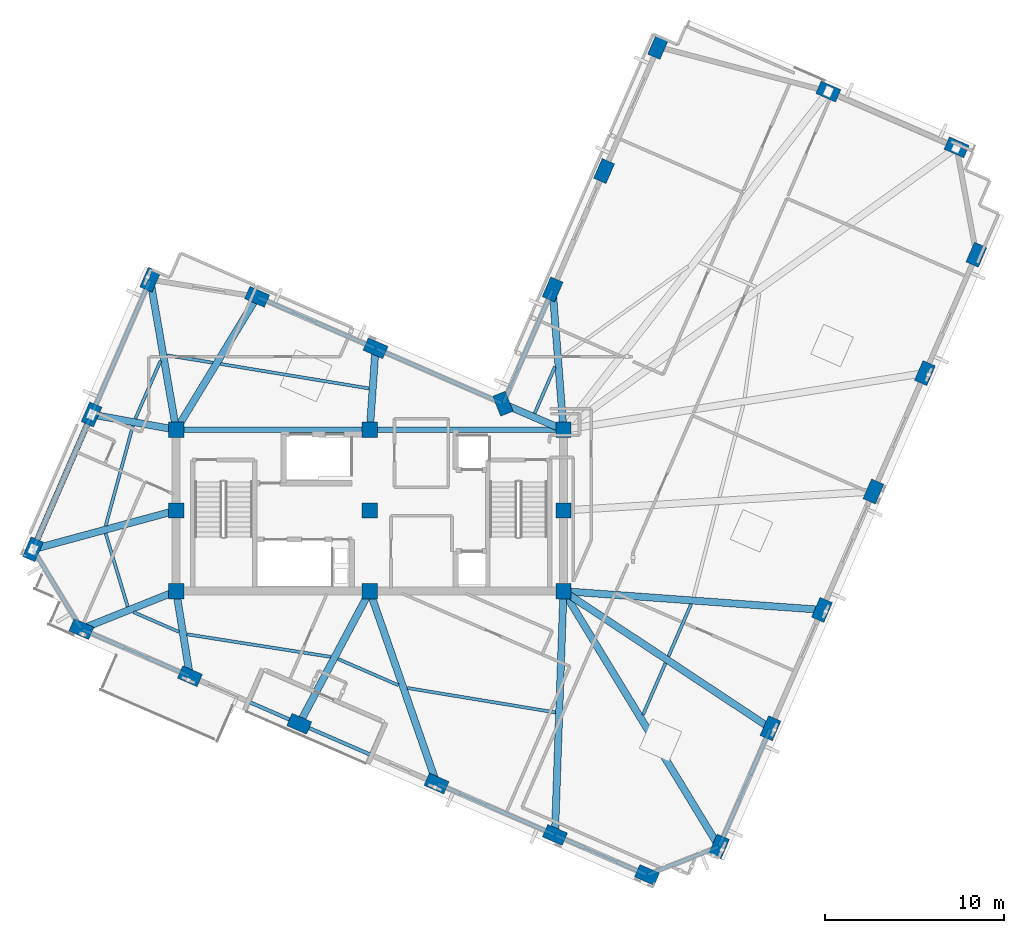
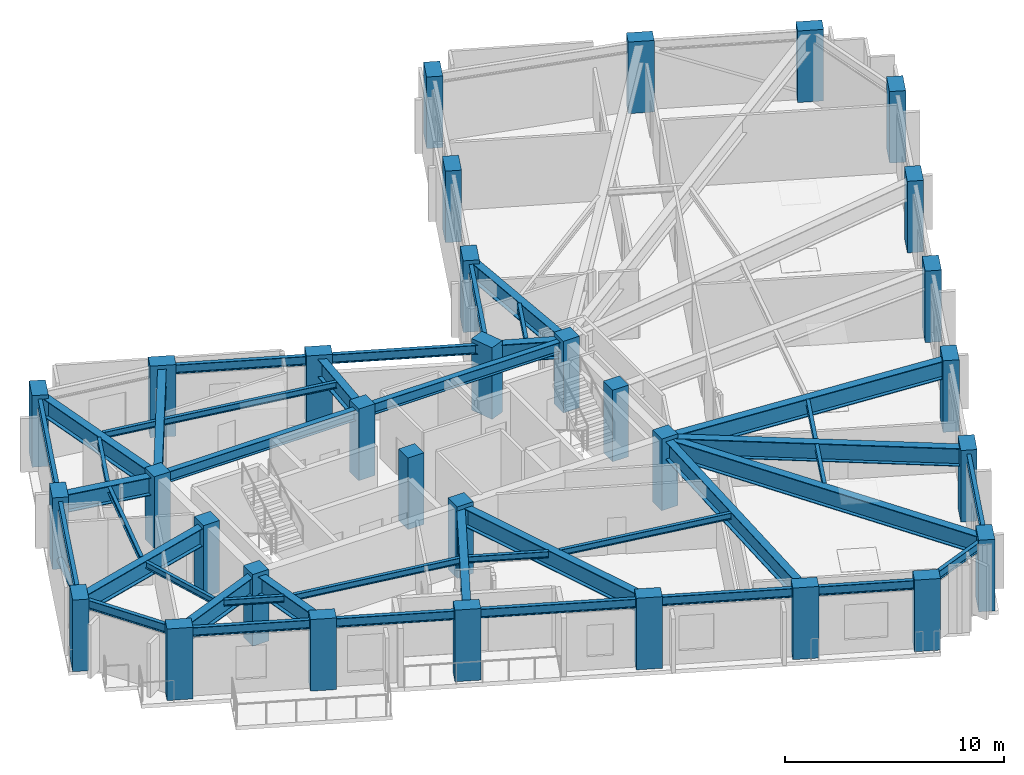
# One storey, part 1 of 12: 42 beams, 32 columns, 1 member.
"""IFC4 building model written with IfcOpenShell, lengths in metres."""

from ifc_helpers import new_model, si_unit, direction, frame, origin, origin_2d, place, context, subcontext, project, spatial, rectangle, hollow_circle, i_section, extrude, material, material_profile, profile_set, type_object, element, save


model = new_model("IFC4")

# Units and contexts
model_context = context("Model", 3, precision=1e-05, world=origin(), true_north=direction((0.0, 1.0)))
body_context = subcontext(model_context, "Body", "Model", "MODEL_VIEW")
ifc_project = project(units=[si_unit("LENGTHUNIT", "METRE"), si_unit("AREAUNIT", "SQUARE_METRE"), si_unit("VOLUMEUNIT", "CUBIC_METRE"), si_unit("PLANEANGLEUNIT", "RADIAN"), si_unit("MASSUNIT", "GRAM", prefix="KILO")], contexts=[model_context])

# Site, building, storey
site_placement = place(None, origin())
site = spatial("IfcSite", under=ifc_project, at=site_placement, CompositionType="ELEMENT")
building_placement = place(site_placement, origin())
building = spatial("IfcBuilding", under=site, at=building_placement, Name="Gaonmaruhae Medical Tower", CompositionType="ELEMENT")
storey_placement = place(building_placement, frame((0.0, 0.0, 308.60009765625)))
storey = spatial("IfcBuildingStorey", under=building, at=storey_placement, Name="L74", CompositionType="ELEMENT", Elevation=308.60009765625)

# Columns
ifc_material_1 = material(Name="Concrete C50/60", Category="concrete")
ifc_material_profile_1 = material_profile(ifc_material_1, rectangle(XDim=0.85009765625, YDim=0.85009765625, at=origin_2d()), Name="RC-850x850")
ifc_profile_set_1 = profile_set([ifc_material_profile_1], Name="Concrete C50/60")
column_type_1 = type_object("IfcColumnType", Name="CC-06 Upper Core Column (RC-850x850)", PredefinedType="COLUMN", material=ifc_profile_set_1)
for number, where, z_axis, x_axis, name in (
    (1, (14.0, 7.800048828125, 0.0), (0.0, 0.0, 1.0), (1.0, 0.0, 0.0), "L74 Plumb Core Column CC11"),
    (2, (14.0, 12.300048828125, 0.0), (0.0, 0.0, 1.0), (1.0, 0.0, 0.0), "L74 Plumb Core Column CC12"),
    (3, (14.0, 16.800048828125, 0.0), (0.0, 0.0, 1.0), (1.0, 0.0, 0.0), "L74 Plumb Core Column CC13"),
    (4, (24.800048828125, 7.800048828125, 0.0), (0.0, 0.0, 1.0), (1.0, 0.0, 0.0), "L74 Plumb Core Column CC21"),
    (5, (24.800048828125, 12.300048828125, 0.0), (0.0, 0.0, 1.0), (1.0, 0.0, 0.0), "L74 Plumb Core Column CC22"),
    (6, (24.800048828125, 16.800048828125, 0.0), (0.0, 0.0, 1.0), (1.0, 0.0, 0.0), "L74 Plumb Core Column CC23"),
    (7, (35.60009765625, 7.800048828125, 0.0), (0.0, 0.0, 1.0), (1.0, 0.0, 0.0), "L74 Plumb Core Column CC31"),
    (8, (35.60009765625, 12.300048828125, 0.0), (0.0, 0.0, 1.0), (1.0, 0.0, 0.0), "L74 Plumb Core Column CC32"),
    (9, (35.60009765625, 16.800048828125, 0.0), (0.0, 0.0, 1.0), (1.0, 0.0, 0.0), "L74 Plumb Core Column CC33"),
):
    element("IfcColumn", number, at=place(storey_placement, frame(where, z_axis=z_axis, x_axis=x_axis)), inside=storey, type_object=column_type_1, Name=name, PredefinedType="COLUMN", context=body_context, shape_type="SweptSolid", body=[
        extrude(rectangle(XDim=0.85009765625, YDim=0.85009765625, at=origin_2d()), origin(), (0.0, 0.0, 1.0), 4.0),
    ])
ifc_material_profile_2 = material_profile(ifc_material_1, rectangle(XDim=1.199951171875, YDim=0.75, at=origin_2d()), Name="RC-1200x750")
ifc_profile_set_2 = profile_set([ifc_material_profile_2], Name="Concrete C50/60")
column_type_2 = type_object("IfcColumnType", Name="TC-03 Upper Raking Tube Pier Column (RC-1200x750)", PredefinedType="COLUMN", material=ifc_profile_set_2)
for number, where, z_axis, x_axis, name in (
    (10, (44.275146484375, -6.448486328125, 0.001708984375), (0.0, 0.0, 1.0), (0.398749068925, 0.917060074385, 0.0), "L74 Perimeter Tube Column S01"),
    (11, (47.14599609375, 0.154296875, 0.001708984375), (0.0, 0.0, 1.0), (0.398749068925, 0.917060074385, 0.0), "L74 Perimeter Tube Column S02"),
    (12, (50.01708984375, 6.75732421875, 0.001708984375), (0.0, 0.0, 1.0), (0.398749068925, 0.917060074385, 0.0), "L74 Perimeter Tube Column S03"),
    (13, (52.88818359375, 13.360107421875, 0.001708984375), (0.0, 0.0, 1.0), (0.398749068925, 0.917060074385, 0.0), "L74 Perimeter Tube Column S04"),
    (14, (55.759033203125, 19.962890625, 0.001708984375), (0.0, 0.0, 1.0), (0.398749068925, 0.917060074385, 0.0), "L74 Perimeter Tube Column S05"),
    (15, (58.630126953125, 26.565673828125, 0.001708984375), (0.0, 0.0, 1.0), (0.398749068925, 0.917060074385, 0.0), "L74 Perimeter Tube Column S06"),
    (16, (57.525634765625, 32.552734375, 0.001708984375), (0.0, 0.0, 1.0), (-0.917060074385, 0.398749068925, 0.0), "L74 Perimeter Tube Column E01"),
    (17, (50.372802734375, 35.662841796875, 0.001708984375), (0.0, 0.0, 1.0), (-0.917060074385, 0.398749068925, 0.0), "L74 Perimeter Tube Column E02"),
    (18, (40.879150390625, 38.155029296875, 0.001708984375), (0.0, 0.0, 1.0), (0.398749068925, 0.917060074385, 0.0), "L74 Perimeter Tube Column E03"),
    (19, (37.868408203125, 31.2314453125, 0.001708984375), (0.0, 0.0, 1.0), (0.398749068925, 0.917060074385, 0.0), "L74 Perimeter Tube Column EN01"),
    (20, (34.99755859375, 24.62841796875, 0.001708984375), (0.0, 0.0, 1.0), (0.398749068925, 0.917060074385, 0.0), "L74 Perimeter Tube Column EN02"),
    (21, (32.226318359375, 18.2548828125, 0.001708984375), (0.0, 0.0, 1.0), (-0.366501226724, 0.930417567982, 0.0), "L74 Perimeter Tube Column KN01"),
    (22, (25.118896484375, 21.34521484375, 0.001708984375), (0.0, 0.0, 1.0), (-0.917060074385, 0.398749068925, 0.0), "L74 Perimeter Tube Column NE01"),
    (23, (18.51611328125, 24.21630859375, 0.001708984375), (0.0, 0.0, 1.0), (-0.917060074385, 0.398749068925, 0.0), "L74 Perimeter Tube Column NE02"),
    (24, (12.55322265625, 25.17333984375, 0.001708984375), (0.0, 0.0, 1.0), (0.398749068925, 0.917060074385, 0.0), "L74 Perimeter Tube Column N01"),
    (25, (9.283447265625, 17.653564453125, 0.001708984375), (0.0, 0.0, 1.0), (0.398749068925, 0.917060074385, 0.0), "L74 Perimeter Tube Column N02"),
    (26, (6.013671875, 10.133544921875, 0.001708984375), (0.0, 0.0, 1.0), (0.398749068925, 0.917060074385, 0.0), "L74 Perimeter Tube Column N03"),
    (27, (8.715087890625, 5.687744140625, 0.001708984375), (0.0, 0.0, 1.0), (-0.917060074385, 0.398749068925, 0.0), "L74 Perimeter Tube Column W01"),
    (28, (14.767578125, 3.055908203125, 0.001708984375), (0.0, 0.0, 1.0), (-0.917060074385, 0.398749068925, 0.0), "L74 Perimeter Tube Column W02"),
    (29, (20.865966796875, 0.404296875, 0.001708984375), (0.0, 0.0, 1.0), (-0.917060074385, 0.398749068925, 0.0), "L74 Perimeter Tube Column W03"),
    (30, (28.5234375, -2.92529296875, 0.001708984375), (0.0, 0.0, 1.0), (-0.917060074385, 0.398749068925, 0.0), "L74 Perimeter Tube Column W04"),
    (31, (35.12646484375, -5.79638671875, 0.001708984375), (0.0, 0.0, 1.0), (-0.917060074385, 0.398749068925, 0.0), "L74 Perimeter Tube Column W05"),
    (32, (40.261962890625, -8.029296875, 0.001708984375), (0.0, 0.0, 1.0), (-0.917060074385, 0.398749068925, 0.0), "L74 Perimeter Tube Column W06"),
):
    element("IfcColumn", number, at=place(storey_placement, frame(where, z_axis=z_axis, x_axis=x_axis)), inside=storey, type_object=column_type_2, Name=name, PredefinedType="COLUMN", context=body_context, shape_type="SweptSolid", body=[
        extrude(rectangle(XDim=1.199951171875, YDim=0.75, at=origin_2d()), origin(), (0.0, 0.0, 1.0), 3.996337890625),
    ])

# Beams
ifc_material_2 = material(Name="Steel SM420", Category="steel")
ifc_material_profile_3 = material_profile(ifc_material_2, i_section(OverallWidth=0.39990234375, OverallDepth=1.0, WebThickness=0.02197265625, FlangeThickness=0.035888671875, at=origin_2d()), Name="BH-1000x400x22x36")
ifc_profile_set_3 = profile_set([ifc_material_profile_3], Name="Steel SM420")
beam_type_1 = type_object("IfcBeamType", Name="BG-02 Refuge Floor Primary Girder (BH-1000x400x22x36)", PredefinedType="BEAM", material=ifc_profile_set_3)
beam_1_placement = place(storey_placement, frame((35.6259765625, 7.75732421875, 3.27978515625), z_axis=(0.520036625826, -0.854143961988, 0.0), x_axis=(0.854143961988, 0.520036625826, 0.0)))
element("IfcBeam", 33, at=beam_1_placement, inside=storey, type_object=beam_type_1, Name="L74 Radial Primary Girder S01", PredefinedType="BEAM", context=body_context, shape_type="SweptSolid", body=[
    extrude(i_section(OverallWidth=0.39990234375, OverallDepth=1.0, WebThickness=0.02197265625, FlangeThickness=0.035888671875, at=origin_2d()), origin(), (0.0, 0.0, 1.0), 16.58154296875),
])
beam_2_placement = place(storey_placement, frame((35.6416015625, 7.7724609375, 3.27978515625), z_axis=(0.833770161097, -0.552111690208, 0.0), x_axis=(0.552111690208, 0.833770161097, 0.0)))
element("IfcBeam", 34, at=beam_2_placement, inside=storey, type_object=beam_type_1, Name="L74 Radial Primary Girder S02", PredefinedType="BEAM", context=body_context, shape_type="SweptSolid", body=[
    extrude(i_section(OverallWidth=0.39990234375, OverallDepth=1.0, WebThickness=0.02197265625, FlangeThickness=0.035888671875, at=origin_2d()), origin(), (0.0, 0.0, 1.0), 13.748291015625),
])
beam_3_placement = place(storey_placement, frame((35.64990234375, 7.79638671875, 3.27978515625), z_axis=(0.997394062708, -0.072146265841, 0.0), x_axis=(0.072146265841, 0.997394062708, 0.0)))
element("IfcBeam", 35, at=beam_3_placement, inside=storey, type_object=beam_type_1, Name="L74 Radial Primary Girder S03", PredefinedType="BEAM", context=body_context, shape_type="SweptSolid", body=[
    extrude(i_section(OverallWidth=0.39990234375, OverallDepth=1.0, WebThickness=0.02197265625, FlangeThickness=0.035888671875, at=origin_2d()), origin(), (0.0, 0.0, 1.0), 14.354736328125),
])
beam_4_placement = place(storey_placement, frame((35.59619140625, 16.849853515625, 3.27978515625), z_axis=(-0.076722992115, 0.997052447207, 0.0), x_axis=(-0.997052447207, -0.076722992115, 0.0)))
element("IfcBeam", 36, at=beam_4_placement, inside=storey, type_object=beam_type_1, Name="L74 Radial Primary Girder EN02", PredefinedType="BEAM", context=body_context, shape_type="SweptSolid", body=[
    extrude(i_section(OverallWidth=0.39990234375, OverallDepth=1.0, WebThickness=0.02197265625, FlangeThickness=0.035888671875, at=origin_2d()), origin(), (0.0, 0.0, 1.0), 7.751708984375),
])
beam_5_placement = place(storey_placement, frame((35.55419921875, 16.81982421875, 3.27978515625), z_axis=(-0.918259431029, 0.395979314266, 0.0), x_axis=(-0.395979314266, -0.918259431029, 0.0)))
element("IfcBeam", 37, at=beam_5_placement, inside=storey, type_object=beam_type_1, Name="L74 Radial Primary Girder KN01", PredefinedType="BEAM", context=body_context, shape_type="SweptSolid", body=[
    extrude(i_section(OverallWidth=0.39990234375, OverallDepth=1.0, WebThickness=0.02197265625, FlangeThickness=0.035888671875, at=origin_2d()), origin(), (0.0, 0.0, 1.0), 3.57421875),
])
beam_6_placement = place(storey_placement, frame((24.803466796875, 16.849853515625, 3.27978515625), z_axis=(0.070012845455, 0.997546089898, 0.0), x_axis=(-0.997546089898, 0.070012845455, 0.0)))
element("IfcBeam", 38, at=beam_6_placement, inside=storey, type_object=beam_type_1, Name="L74 Radial Primary Girder NE01", PredefinedType="BEAM", context=body_context, shape_type="SweptSolid", body=[
    extrude(i_section(OverallWidth=0.39990234375, OverallDepth=1.0, WebThickness=0.02197265625, FlangeThickness=0.035888671875, at=origin_2d()), origin(), (0.0, 0.0, 1.0), 4.45654296875),
])
beam_7_placement = place(storey_placement, frame((14.026123046875, 16.8427734375, 3.27978515625), z_axis=(0.520106658264, 0.854101319534, 0.0), x_axis=(-0.854101319534, 0.520106658264, 0.0)))
element("IfcBeam", 39, at=beam_7_placement, inside=storey, type_object=beam_type_1, Name="L74 Radial Primary Girder NE02", PredefinedType="BEAM", context=body_context, shape_type="SweptSolid", body=[
    extrude(i_section(OverallWidth=0.39990234375, OverallDepth=1.0, WebThickness=0.02197265625, FlangeThickness=0.035888671875, at=origin_2d()), origin(), (0.0, 0.0, 1.0), 8.5830078125),
])
beam_8_placement = place(storey_placement, frame((13.991455078125, 16.849365234375, 3.27978515625), z_axis=(-0.170256429826, 0.985399791, 0.0), x_axis=(-0.985399791, -0.170256429826, 0.0)))
element("IfcBeam", 40, at=beam_8_placement, inside=storey, type_object=beam_type_1, Name="L74 Radial Primary Girder N01", PredefinedType="BEAM", context=body_context, shape_type="SweptSolid", body=[
    extrude(i_section(OverallWidth=0.39990234375, OverallDepth=1.0, WebThickness=0.02197265625, FlangeThickness=0.035888671875, at=origin_2d()), origin(), (0.0, 0.0, 1.0), 8.397216796875),
])
beam_9_placement = place(storey_placement, frame((13.95068359375, 16.808837890625, 3.27978515625), z_axis=(-0.984016905829, 0.17807506575, 0.0), x_axis=(-0.17807506575, -0.984016905829, 0.0)))
element("IfcBeam", 41, at=beam_9_placement, inside=storey, type_object=beam_type_1, Name="L74 Radial Primary Girder N02", PredefinedType="BEAM", context=body_context, shape_type="SweptSolid", body=[
    extrude(i_section(OverallWidth=0.39990234375, OverallDepth=1.0, WebThickness=0.02197265625, FlangeThickness=0.035888671875, at=origin_2d()), origin(), (0.0, 0.0, 1.0), 4.69287109375),
])
beam_10_placement = place(storey_placement, frame((13.95166015625, 12.286865234375, 3.27978515625), z_axis=(-0.965122679795, -0.261798038467, 0.0), x_axis=(0.261798038467, -0.965122679795, 0.0)))
element("IfcBeam", 42, at=beam_10_placement, inside=storey, type_object=beam_type_1, Name="L74 Radial Primary Girder N03", PredefinedType="BEAM", context=body_context, shape_type="SweptSolid", body=[
    extrude(i_section(OverallWidth=0.39990234375, OverallDepth=1.0, WebThickness=0.02197265625, FlangeThickness=0.035888671875, at=origin_2d()), origin(), (0.0, 0.0, 1.0), 8.1748046875),
])
beam_11_placement = place(storey_placement, frame((13.95361328125, 7.781494140625, 3.27978515625), z_axis=(-0.928579037594, -0.371134707272, 0.0), x_axis=(0.371134707272, -0.928579037594, 0.0)))
element("IfcBeam", 43, at=beam_11_placement, inside=storey, type_object=beam_type_1, Name="L74 Radial Primary Girder W01", PredefinedType="BEAM", context=body_context, shape_type="SweptSolid", body=[
    extrude(i_section(OverallWidth=0.39990234375, OverallDepth=1.0, WebThickness=0.02197265625, FlangeThickness=0.035888671875, at=origin_2d()), origin(), (0.0, 0.0, 1.0), 5.591552734375),
])
beam_12_placement = place(storey_placement, frame((14.008056640625, 7.750732421875, 3.27978515625), z_axis=(0.159685869984, -0.987167879809, 0.0), x_axis=(0.987167879809, 0.159685869984, 0.0)))
element("IfcBeam", 44, at=beam_12_placement, inside=storey, type_object=beam_type_1, Name="L74 Radial Primary Girder W02", PredefinedType="BEAM", context=body_context, shape_type="SweptSolid", body=[
    extrude(i_section(OverallWidth=0.39990234375, OverallDepth=1.0, WebThickness=0.02197265625, FlangeThickness=0.035888671875, at=origin_2d()), origin(), (0.0, 0.0, 1.0), 4.705810546875),
])
beam_13_placement = place(storey_placement, frame((24.776611328125, 7.755859375, 3.260009765625), z_axis=(-0.469618843189, -0.882869266722, 0.0), x_axis=(0.882869266722, -0.469618843189, 0.0)))
element("IfcBeam", 45, at=beam_13_placement, inside=storey, type_object=beam_type_1, Name="L74 Radial Primary Girder W03", PredefinedType="BEAM", context=body_context, shape_type="SweptSolid", body=[
    extrude(i_section(OverallWidth=0.39990234375, OverallDepth=1.0, WebThickness=0.02197265625, FlangeThickness=0.035888671875, at=origin_2d()), origin(), (0.0, 0.0, 1.0), 8.27685546875),
])
beam_14_placement = place(storey_placement, frame((24.81640625, 7.752685546875, 3.27978515625), z_axis=(0.327964362011, -0.944690095878, 0.0), x_axis=(0.944690095878, 0.327964362011, 0.0)))
element("IfcBeam", 46, at=beam_14_placement, inside=storey, type_object=beam_type_1, Name="L74 Radial Primary Girder W04", PredefinedType="BEAM", context=body_context, shape_type="SweptSolid", body=[
    extrude(i_section(OverallWidth=0.39990234375, OverallDepth=1.0, WebThickness=0.02197265625, FlangeThickness=0.035888671875, at=origin_2d()), origin(), (0.0, 0.0, 1.0), 11.253173828125),
])
beam_15_placement = place(storey_placement, frame((35.59814453125, 7.75, 3.27978515625), z_axis=(-0.034800997703, -0.99939426182, 0.0), x_axis=(0.99939426182, -0.034800997703, 0.0)))
element("IfcBeam", 47, at=beam_15_placement, inside=storey, type_object=beam_type_1, Name="L74 Radial Primary Girder W05", PredefinedType="BEAM", context=body_context, shape_type="SweptSolid", body=[
    extrude(i_section(OverallWidth=0.39990234375, OverallDepth=1.0, WebThickness=0.02197265625, FlangeThickness=0.035888671875, at=origin_2d()), origin(), (0.0, 0.0, 1.0), 13.504638671875),
])
ifc_material_3 = material(Name="Steel SM355", Category="steel")
ifc_material_profile_4 = material_profile(ifc_material_3, i_section(OverallWidth=0.175048828125, OverallDepth=0.35009765625, WebThickness=0.007080078125, FlangeThickness=0.010986328125, FilletRadius=0.012939453125, at=origin_2d()), Name="H-350x175x7x11")
ifc_profile_set_4 = profile_set([ifc_material_profile_4], Name="Steel SM355")
beam_type_2 = type_object("IfcBeamType", Name="FJ-02 Upper Zone Ward Floor Joist (H-350x175x7x11)", PredefinedType="JOIST", material=ifc_profile_set_4)
beam_16_placement = place(storey_placement, frame((40.03759765625, 0.905517578125, 3.60498046875), z_axis=(0.39874601067, 0.917061404146, 0.0), x_axis=(-0.917061404146, 0.39874601067, 0.0)))
element("IfcBeam", 48, at=beam_16_placement, inside=storey, type_object=beam_type_2, Name="L74 Secondary Floor Joist FJ01", PredefinedType="JOIST", context=body_context, shape_type="SweptSolid", body=[
    extrude(i_section(OverallWidth=0.175048828125, OverallDepth=0.35009765625, WebThickness=0.007080078125, FlangeThickness=0.010986328125, FilletRadius=0.012939453125, at=origin_2d()), origin(), (0.0, 0.0, 1.0), 3.140380859375),
])
beam_17_placement = place(storey_placement, frame((41.45654296875, 4.1689453125, 3.60498046875), z_axis=(0.398742993355, 0.917062716094, 0.0), x_axis=(-0.917062716094, 0.398742993355, 0.0)))
element("IfcBeam", 49, at=beam_17_placement, inside=storey, type_object=beam_type_2, Name="L74 Secondary Floor Joist FJ02", PredefinedType="JOIST", context=body_context, shape_type="SweptSolid", body=[
    extrude(i_section(OverallWidth=0.175048828125, OverallDepth=0.35009765625, WebThickness=0.007080078125, FlangeThickness=0.010986328125, FilletRadius=0.012939453125, at=origin_2d()), origin(), (0.0, 0.0, 1.0), 3.1728515625),
])
beam_18_placement = place(storey_placement, frame((35.1259765625, 20.31689453125, 3.60498046875), z_axis=(-0.398704074368, -0.917079637263, 0.0), x_axis=(0.917079637263, -0.398704074368, 0.0)))
element("IfcBeam", 50, at=beam_18_placement, inside=storey, type_object=beam_type_2, Name="L74 Secondary Floor Joist FJ08", PredefinedType="JOIST", context=body_context, shape_type="SweptSolid", body=[
    extrude(i_section(OverallWidth=0.175048828125, OverallDepth=0.35009765625, WebThickness=0.007080078125, FlangeThickness=0.010986328125, FilletRadius=0.012939453125, at=origin_2d()), origin(), (0.0, 0.0, 1.0), 2.835693359375),
])
beam_19_placement = place(storey_placement, frame((24.75537109375, 19.106201171875, 3.60498046875), z_axis=(-0.986663894193, 0.162770881598, 0.0), x_axis=(-0.162770881598, -0.986663894193, 0.0)))
element("IfcBeam", 51, at=beam_19_placement, inside=storey, type_object=beam_type_2, Name="L74 Secondary Floor Joist FJ10", PredefinedType="JOIST", context=body_context, shape_type="SweptSolid", body=[
    extrude(i_section(OverallWidth=0.175048828125, OverallDepth=0.35009765625, WebThickness=0.007080078125, FlangeThickness=0.010986328125, FilletRadius=0.012939453125, at=origin_2d()), origin(), (0.0, 0.0, 1.0), 8.390380859375),
])
beam_20_placement = place(storey_placement, frame((16.038818359375, 20.543212890625, 3.60498046875), z_axis=(-0.987360795074, 0.158488675779, 0.0), x_axis=(-0.158488675779, -0.987360795074, 0.0)))
element("IfcBeam", 52, at=beam_20_placement, inside=storey, type_object=beam_type_2, Name="L74 Secondary Floor Joist FJ11", PredefinedType="JOIST", context=body_context, shape_type="SweptSolid", body=[
    extrude(i_section(OverallWidth=0.175048828125, OverallDepth=0.35009765625, WebThickness=0.007080078125, FlangeThickness=0.010986328125, FilletRadius=0.012939453125, at=origin_2d()), origin(), (0.0, 0.0, 1.0), 2.580322265625),
])
beam_21_placement = place(storey_placement, frame((13.12890625, 20.64697265625, 3.60498046875), z_axis=(-0.398746411425, -0.917061229895, 0.0), x_axis=(0.917061229895, -0.398746411425, 0.0)))
element("IfcBeam", 53, at=beam_21_placement, inside=storey, type_object=beam_type_2, Name="L74 Secondary Floor Joist FJ12", PredefinedType="JOIST", context=body_context, shape_type="SweptSolid", body=[
    extrude(i_section(OverallWidth=0.175048828125, OverallDepth=0.35009765625, WebThickness=0.007080078125, FlangeThickness=0.010986328125, FilletRadius=0.012939453125, at=origin_2d()), origin(), (0.0, 0.0, 1.0), 3.51806640625),
])
beam_22_placement = place(storey_placement, frame((11.58740234375, 17.027099609375, 3.60498046875), z_axis=(-0.262477989376, -0.964937979921, 0.0), x_axis=(0.964937979921, -0.262477989376, 0.0)))
element("IfcBeam", 54, at=beam_22_placement, inside=storey, type_object=beam_type_2, Name="L74 Secondary Floor Joist FJ13", PredefinedType="JOIST", context=body_context, shape_type="SweptSolid", body=[
    extrude(i_section(OverallWidth=0.175048828125, OverallDepth=0.35009765625, WebThickness=0.007080078125, FlangeThickness=0.010986328125, FilletRadius=0.012939453125, at=origin_2d()), origin(), (0.0, 0.0, 1.0), 5.78369140625),
])
beam_23_placement = place(storey_placement, frame((10.06640625, 11.01953125, 3.60498046875), z_axis=(0.289103701868, -0.957297785209, 0.0), x_axis=(0.957297785209, 0.289103701868, 0.0)))
element("IfcBeam", 55, at=beam_23_placement, inside=storey, type_object=beam_type_2, Name="L74 Secondary Floor Joist FJ14", PredefinedType="JOIST", context=body_context, shape_type="SweptSolid", body=[
    extrude(i_section(OverallWidth=0.175048828125, OverallDepth=0.35009765625, WebThickness=0.007080078125, FlangeThickness=0.010986328125, FilletRadius=0.012939453125, at=origin_2d()), origin(), (0.0, 0.0, 1.0), 4.259521484375),
])
beam_24_placement = place(storey_placement, frame((11.62109375, 6.629150390625, 3.60498046875), z_axis=(0.917075663277, -0.398713215012, 0.0), x_axis=(0.398713215012, 0.917075663277, 0.0)))
element("IfcBeam", 56, at=beam_24_placement, inside=storey, type_object=beam_type_2, Name="L74 Secondary Floor Joist FJ15", PredefinedType="JOIST", context=body_context, shape_type="SweptSolid", body=[
    extrude(i_section(OverallWidth=0.175048828125, OverallDepth=0.35009765625, WebThickness=0.007080078125, FlangeThickness=0.010986328125, FilletRadius=0.012939453125, at=origin_2d()), origin(), (0.0, 0.0, 1.0), 2.768798828125),
])
beam_25_placement = place(storey_placement, frame((14.59765625, 5.39453125, 3.60498046875), z_axis=(0.9879068852, -0.15504833496, 0.0), x_axis=(0.15504833496, 0.9879068852, 0.0)))
element("IfcBeam", 57, at=beam_25_placement, inside=storey, type_object=beam_type_2, Name="L74 Secondary Floor Joist FJ16", PredefinedType="JOIST", context=body_context, shape_type="SweptSolid", body=[
    extrude(i_section(OverallWidth=0.175048828125, OverallDepth=0.35009765625, WebThickness=0.007080078125, FlangeThickness=0.010986328125, FilletRadius=0.012939453125, at=origin_2d()), origin(), (0.0, 0.0, 1.0), 8.11865234375),
])
beam_26_placement = place(storey_placement, frame((23.0224609375, 4.019775390625, 3.60498046875), z_axis=(0.91705533197, -0.398759975555, 0.0), x_axis=(0.398759975555, 0.91705533197, 0.0)))
element("IfcBeam", 58, at=beam_26_placement, inside=storey, type_object=beam_type_2, Name="L74 Secondary Floor Joist FJ17", PredefinedType="JOIST", context=body_context, shape_type="SweptSolid", body=[
    extrude(i_section(OverallWidth=0.175048828125, OverallDepth=0.35009765625, WebThickness=0.007080078125, FlangeThickness=0.010986328125, FilletRadius=0.012939453125, at=origin_2d()), origin(), (0.0, 0.0, 1.0), 3.690673828125),
])
beam_27_placement = place(storey_placement, frame((26.892333984375, 2.3994140625, 3.60498046875), z_axis=(0.986661186603, -0.162787293274, 0.0), x_axis=(0.162787293274, 0.986661186603, 0.0)))
element("IfcBeam", 59, at=beam_27_placement, inside=storey, type_object=beam_type_2, Name="L74 Secondary Floor Joist FJ18", PredefinedType="JOIST", context=body_context, shape_type="SweptSolid", body=[
    extrude(i_section(OverallWidth=0.175048828125, OverallDepth=0.35009765625, WebThickness=0.007080078125, FlangeThickness=0.010986328125, FilletRadius=0.012939453125, at=origin_2d()), origin(), (0.0, 0.0, 1.0), 8.377685546875),
])

# Member
ifc_material_profile_5 = material_profile(ifc_material_3, hollow_circle(Radius=0.1591796875, WallThickness=0.01025390625, at=origin_2d()), Name="CHS-318.5x10.3")
ifc_profile_set_5 = profile_set([ifc_material_profile_5], Name="Steel SM355")
member_type = type_object("IfcMemberType", Name="PB-03 Perimeter Solid-Bay Tube Brace Upper (CHS-318.5x10.3)", PredefinedType="BRACE", material=ifc_profile_set_5)
member_placement = place(storey_placement, frame((9.283447265625, 17.653564453125, 0.25), z_axis=(-0.370231257268, -0.851479368802, 0.371364646467), x_axis=(0.917061062653, -0.398746796056, 0.0)))
element("IfcMember", 60, at=member_placement, inside=storey, type_object=member_type, Name="L74 Perimeter Tube Solid-Bay Brace N02-N03", PredefinedType="BRACE", context=body_context, shape_type="SweptSolid", body=[
    extrude(hollow_circle(Radius=0.1591796875, WallThickness=0.01025390625, at=origin_2d()), origin(), (0.0, 0.0, 1.0), 8.831787109375),
])

# Beams
ifc_material_profile_6 = material_profile(ifc_material_2, i_section(OverallWidth=0.300048828125, OverallDepth=0.60009765625, WebThickness=0.011962890625, FlangeThickness=0.02001953125, FilletRadius=0.012939453125, at=origin_2d()), Name="H-600x300x12x20")
ifc_profile_set_6 = profile_set([ifc_material_profile_6], Name="Steel SM420")
beam_type_3 = type_object("IfcBeamType", Name="PG-04 Zone 4 Radial Floor Girder (H-600x300x12x20)", PredefinedType="BEAM", material=ifc_profile_set_6)
for number, where, z_axis, x_axis, name in (
    (61, (14.050048828125, 16.800048828125, 3.47998046875), (1.0, 0.0, 0.0), (0.0, 1.0, 0.0), "L74 Beam BM-L74-CG-N1"),
    (62, (24.85009765625, 16.800048828125, 3.47998046875), (1.0, 0.0, 0.0), (0.0, 1.0, 0.0), "L74 Beam BM-L74-CG-N2"),
):
    element("IfcBeam", number, at=place(storey_placement, frame(where, z_axis=z_axis, x_axis=x_axis)), inside=storey, type_object=beam_type_3, Name=name, PredefinedType="BEAM", context=body_context, shape_type="SweptSolid", body=[
        extrude(i_section(OverallWidth=0.300048828125, OverallDepth=0.60009765625, WebThickness=0.011962890625, FlangeThickness=0.02001953125, FilletRadius=0.012939453125, at=origin_2d()), origin(), (0.0, 0.0, 1.0), 10.699951171875),
    ])
ifc_material_profile_7 = material_profile(ifc_material_3, i_section(OverallWidth=0.199951171875, OverallDepth=0.5, WebThickness=0.010009765625, FlangeThickness=0.01611328125, FilletRadius=0.012939453125, at=origin_2d()), Name="H-500x200x10x16")
ifc_profile_set_7 = profile_set([ifc_material_profile_7], Name="Steel SM355")
beam_type_4 = type_object("IfcBeamType", Name="SP-02 Upper Perimeter Spandrel Beam (H-500x200x10x16)", PredefinedType="SPANDREL", material=ifc_profile_set_7)
beam_28_placement = place(storey_placement, frame((44.291015625, -6.411865234375, 3.52978515625), z_axis=(0.398747426125, 0.917060788693, 0.0), x_axis=(-0.917060788693, 0.398747426125, 0.0)))
element("IfcBeam", 63, at=beam_28_placement, inside=storey, type_object=beam_type_4, Name="L74 Perimeter Spandrel Beam S01-S02", PredefinedType="SPANDREL", context=body_context, shape_type="SweptSolid", body=[
    extrude(i_section(OverallWidth=0.199951171875, OverallDepth=0.5, WebThickness=0.010009765625, FlangeThickness=0.01611328125, FilletRadius=0.012939453125, at=origin_2d()), origin(), (0.0, 0.0, 1.0), 7.1201171875),
])
beam_29_placement = place(storey_placement, frame((34.981689453125, 24.591796875, 3.52978515625), z_axis=(-0.398768993563, -0.917051410649, 0.0), x_axis=(0.917051410649, -0.398768993563, 0.0)))
element("IfcBeam", 64, at=beam_29_placement, inside=storey, type_object=beam_type_4, Name="L74 Perimeter Spandrel Beam EN02-KN01", PredefinedType="SPANDREL", context=body_context, shape_type="SweptSolid", body=[
    extrude(i_section(OverallWidth=0.199951171875, OverallDepth=0.5, WebThickness=0.010009765625, FlangeThickness=0.01611328125, FilletRadius=0.012939453125, at=origin_2d()), origin(), (0.0, 0.0, 1.0), 6.869873046875),
])
beam_30_placement = place(storey_placement, frame((32.189453125, 18.27099609375, 3.52978515625), z_axis=(-0.917059428629, 0.398750554059, 0.0), x_axis=(-0.398750554059, -0.917059428629, 0.0)))
element("IfcBeam", 65, at=beam_30_placement, inside=storey, type_object=beam_type_4, Name="L74 Perimeter Spandrel Beam KN01-NE01", PredefinedType="SPANDREL", context=body_context, shape_type="SweptSolid", body=[
    extrude(i_section(OverallWidth=0.199951171875, OverallDepth=0.5, WebThickness=0.010009765625, FlangeThickness=0.01611328125, FilletRadius=0.012939453125, at=origin_2d()), origin(), (0.0, 0.0, 1.0), 7.669921875),
])
beam_31_placement = place(storey_placement, frame((25.082275390625, 21.361083984375, 3.52978515625), z_axis=(-0.917055336493, 0.398759965154, 0.0), x_axis=(-0.398759965154, -0.917055336493, 0.0)))
element("IfcBeam", 66, at=beam_31_placement, inside=storey, type_object=beam_type_4, Name="L74 Perimeter Spandrel Beam NE01-NE02", PredefinedType="SPANDREL", context=body_context, shape_type="SweptSolid", body=[
    extrude(i_section(OverallWidth=0.199951171875, OverallDepth=0.5, WebThickness=0.010009765625, FlangeThickness=0.01611328125, FilletRadius=0.012939453125, at=origin_2d()), origin(), (0.0, 0.0, 1.0), 7.119873046875),
])
for number, where, z_axis, x_axis, name in (
    (67, (12.537353515625, 25.13671875, 3.52978515625), (-0.398743701995, -0.917062407974, 0.0), (0.917062407974, -0.398743701995, 0.0), "L74 Perimeter Spandrel Beam N01-N02"),
    (68, (9.267578125, 17.61669921875, 3.52978515625), (-0.398743701995, -0.917062407974, 0.0), (0.917062407974, -0.398743701995, 0.0), "L74 Perimeter Spandrel Beam N02-N03"),
):
    element("IfcBeam", number, at=place(storey_placement, frame(where, z_axis=z_axis, x_axis=x_axis)), inside=storey, type_object=beam_type_4, Name=name, PredefinedType="SPANDREL", context=body_context, shape_type="SweptSolid", body=[
        extrude(i_section(OverallWidth=0.199951171875, OverallDepth=0.5, WebThickness=0.010009765625, FlangeThickness=0.01611328125, FilletRadius=0.012939453125, at=origin_2d()), origin(), (0.0, 0.0, 1.0), 8.119873046875),
    ])
beam_32_placement = place(storey_placement, frame((6.034423828125, 10.099365234375, 3.52978515625), z_axis=(0.519289042516, -0.854598672081, 0.0), x_axis=(0.854598672081, 0.519289042516, 0.0)))
element("IfcBeam", 69, at=beam_32_placement, inside=storey, type_object=beam_type_4, Name="L74 Perimeter Spandrel Beam N03-W01", PredefinedType="SPANDREL", context=body_context, shape_type="SweptSolid", body=[
    extrude(i_section(OverallWidth=0.199951171875, OverallDepth=0.5, WebThickness=0.010009765625, FlangeThickness=0.01611328125, FilletRadius=0.012939453125, at=origin_2d()), origin(), (0.0, 0.0, 1.0), 5.122314453125),
])
beam_33_placement = place(storey_placement, frame((8.751708984375, 5.671630859375, 3.52978515625), z_axis=(0.917059935749, -0.398749387767, 0.0), x_axis=(0.398749387767, 0.917059935749, 0.0)))
element("IfcBeam", 70, at=beam_33_placement, inside=storey, type_object=beam_type_4, Name="L74 Perimeter Spandrel Beam W01-W02", PredefinedType="SPANDREL", context=body_context, shape_type="SweptSolid", body=[
    extrude(i_section(OverallWidth=0.199951171875, OverallDepth=0.5, WebThickness=0.010009765625, FlangeThickness=0.01611328125, FilletRadius=0.012939453125, at=origin_2d()), origin(), (0.0, 0.0, 1.0), 6.52001953125),
])
beam_34_placement = place(storey_placement, frame((14.80419921875, 3.0400390625, 3.510009765625), z_axis=(0.917056468028, -0.398757362876, 0.0), x_axis=(0.398757362876, 0.917056468028, 0.0)))
element("IfcBeam", 71, at=beam_34_placement, inside=storey, type_object=beam_type_4, Name="L74 Perimeter Spandrel Beam W02-W03", PredefinedType="SPANDREL", context=body_context, shape_type="SweptSolid", body=[
    extrude(i_section(OverallWidth=0.199951171875, OverallDepth=0.5, WebThickness=0.010009765625, FlangeThickness=0.01611328125, FilletRadius=0.012939453125, at=origin_2d()), origin(), (0.0, 0.0, 1.0), 6.570068359375),
])
beam_35_placement = place(storey_placement, frame((20.90283203125, 0.388427734375, 3.510009765625), z_axis=(0.917049404199, -0.398773607775, 0.0), x_axis=(0.398773607775, 0.917049404199, 0.0)))
element("IfcBeam", 72, at=beam_35_placement, inside=storey, type_object=beam_type_4, Name="L74 Perimeter Spandrel Beam W03-W04", PredefinedType="SPANDREL", context=body_context, shape_type="SweptSolid", body=[
    extrude(i_section(OverallWidth=0.199951171875, OverallDepth=0.5, WebThickness=0.010009765625, FlangeThickness=0.01611328125, FilletRadius=0.012939453125, at=origin_2d()), origin(), (0.0, 0.0, 1.0), 8.27001953125),
])
beam_36_placement = place(storey_placement, frame((28.560302734375, -2.941162109375, 3.52978515625), z_axis=(0.917055336493, -0.398759965154, 0.0), x_axis=(0.398759965154, 0.917055336493, 0.0)))
element("IfcBeam", 73, at=beam_36_placement, inside=storey, type_object=beam_type_4, Name="L74 Perimeter Spandrel Beam W04-W05", PredefinedType="SPANDREL", context=body_context, shape_type="SweptSolid", body=[
    extrude(i_section(OverallWidth=0.199951171875, OverallDepth=0.5, WebThickness=0.010009765625, FlangeThickness=0.01611328125, FilletRadius=0.012939453125, at=origin_2d()), origin(), (0.0, 0.0, 1.0), 7.119873046875),
])
beam_37_placement = place(storey_placement, frame((35.1630859375, -5.812255859375, 3.52978515625), z_axis=(0.917050366415, -0.398771394984, 0.0), x_axis=(0.398771394984, 0.917050366415, 0.0)))
element("IfcBeam", 74, at=beam_37_placement, inside=storey, type_object=beam_type_4, Name="L74 Perimeter Spandrel Beam W05-W06", PredefinedType="SPANDREL", context=body_context, shape_type="SweptSolid", body=[
    extrude(i_section(OverallWidth=0.199951171875, OverallDepth=0.5, WebThickness=0.010009765625, FlangeThickness=0.01611328125, FilletRadius=0.012939453125, at=origin_2d()), origin(), (0.0, 0.0, 1.0), 5.519775390625),
])
beam_38_placement = place(storey_placement, frame((40.299072265625, -8.0146484375, 3.52978515625), z_axis=(0.930416736169, 0.366503338397, 0.0), x_axis=(-0.366503338397, 0.930416736169, 0.0)))
element("IfcBeam", 75, at=beam_38_placement, inside=storey, type_object=beam_type_4, Name="L74 Perimeter Spandrel Beam W06-S01", PredefinedType="SPANDREL", context=body_context, shape_type="SweptSolid", body=[
    extrude(i_section(OverallWidth=0.199951171875, OverallDepth=0.5, WebThickness=0.010009765625, FlangeThickness=0.01611328125, FilletRadius=0.012939453125, at=origin_2d()), origin(), (0.0, 0.0, 1.0), 4.2333984375),
])

save(model, "model.ifc")
